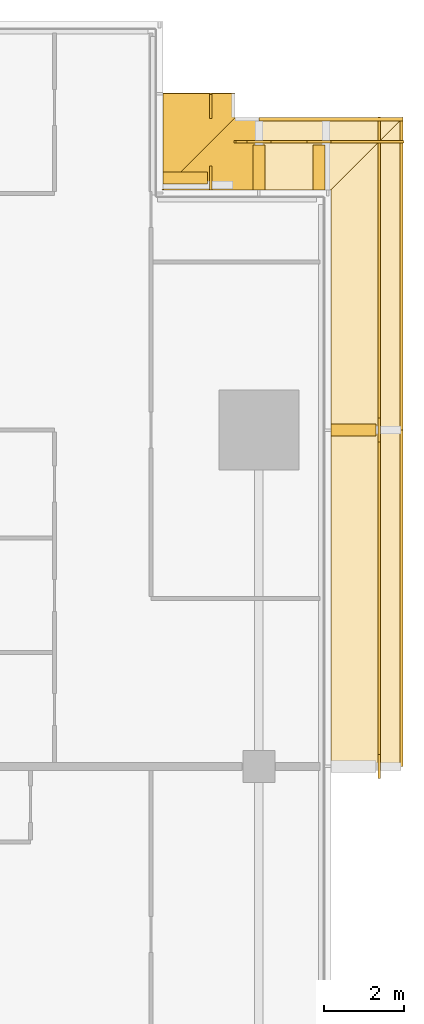
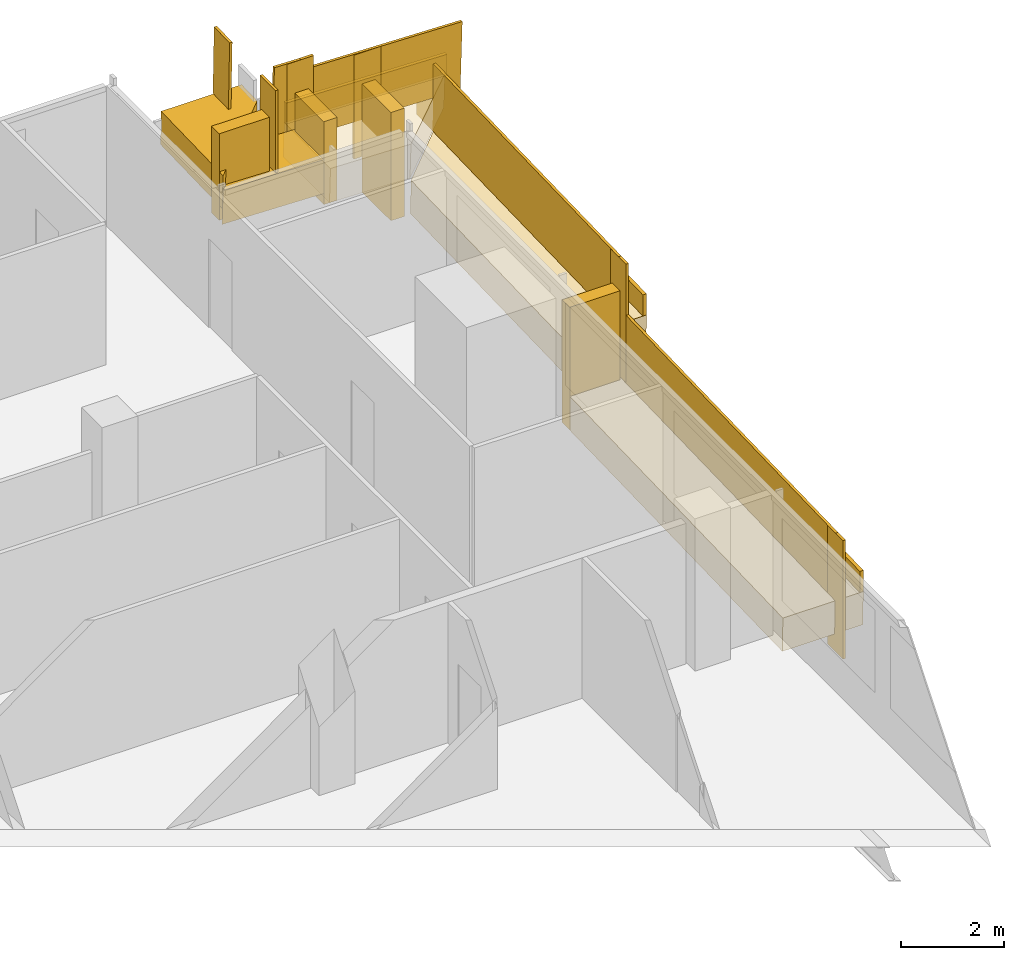
# One storey, part 25 of 27: 12 coverings, 10 railings.
"""IFC4 building model written with IfcOpenShell, lengths in metres."""

from ifc_helpers import new_model, si_unit, direction, frame, origin, origin_2d, place, context, subcontext, project, spatial, polyline, rectangle, outline, extrude, material, layer, layer_set, type_object, element, save


model = new_model("IFC4")

# Units and contexts
model_context = context("Model", 3, precision=1e-05, world=origin(), true_north=direction((0.0, 1.0)))
body_context = subcontext(model_context, "Body", "Model", "MODEL_VIEW")
ifc_project = project(units=[si_unit("LENGTHUNIT", "METRE"), si_unit("AREAUNIT", "SQUARE_METRE"), si_unit("VOLUMEUNIT", "CUBIC_METRE"), si_unit("PLANEANGLEUNIT", "RADIAN"), si_unit("MASSUNIT", "GRAM", prefix="KILO")], contexts=[model_context])

# Site, building, storey
site_placement = place(None, origin())
site = spatial("IfcSite", under=ifc_project, at=site_placement, CompositionType="ELEMENT")
building_placement = place(site_placement, origin())
building = spatial("IfcBuilding", under=site, at=building_placement, Name="Saffron Gate Tower", CompositionType="ELEMENT")
storey_placement = place(building_placement, frame((0.0, 0.0, 134.85009765625)))
storey = spatial("IfcBuildingStorey", under=building, at=storey_placement, Name="L32", CompositionType="ELEMENT", Elevation=134.85009765625)

# Coverings
ifc_material = material(Name="Timber, thermally modified ash", Category="wood")
ifc_layer_1 = layer(ifc_material, 0.800048828125)
ifc_layer_set_1 = layer_set([ifc_layer_1], Name="LD1 ledge timber")
covering_type_1 = type_object("IfcCoveringType", Name="LD1 ledge timber", PredefinedType="CLADDING", material=ifc_layer_set_1)
covering_1_placement = place(storey_placement, frame((127.199951171875, 57.0, 0.242919921875), z_axis=(0.0, -0.028820203882, 0.99958461165), x_axis=(0.0, 0.99958461165, 0.028820203882)))
element("IfcCovering", 1, at=covering_1_placement, inside=storey, type_object=covering_type_1, Name="LEDGE", PredefinedType="CLADDING", context=body_context, shape_type="SweptSolid", body=[
    extrude(outline(polyline([(0.0, 0.0), (8.40339301530596, 0.0), (8.40339301530596, -1.800048828125), (0.0, -1.800048828125), (0.0, 0.0)])), origin(), (0.0, 0.0, -1.0), 0.800048828125),
])
covering_2_placement = place(storey_placement, frame((127.199951171875, 65.39990234375, 1.685302734375), z_axis=(-3.5027307e-05, -0.028807146299, 0.99958498743), x_axis=(-3.68e-10, 0.999584988043, 0.028807146316)))
element("IfcCovering", 2, at=covering_2_placement, inside=storey, type_object=covering_type_1, Name="LEDGE", PredefinedType="CLADDING", context=body_context, shape_type="SweptSolid", body=[
    extrude(outline(polyline([(0.0, 0.0), (6.0024892885105, -2.541098841762901e-21), (7.8032891020589235, -1.8000488321003227), (-6.622937652878055e-10, -1.8000488270207489), (0.0, 0.0)])), origin(), (0.0, 0.0, -1.0), 0.800048828125),
])
covering_3_placement = place(storey_placement, frame((127.199951171875, 71.39990234375, 2.715576171875), z_axis=(0.028741681402, 0.0, 0.999586872538), x_axis=(-0.999586872538, 0.0, 0.028741681402)))
element("IfcCovering", 3, at=covering_3_placement, inside=storey, type_object=covering_type_1, Name="LEDGE", PredefinedType="CLADDING", context=body_context, shape_type="SweptSolid", body=[
    extrude(outline(polyline([(0.0, 0.0), (1.8007927850779974, 0.0), (1.8007927850779974, -1.800048828125), (-1.8007927850779974, -1.800048828125), (0.0, 0.0)])), origin(), (0.0, 0.0, -1.0), 0.800048828125),
])
covering_4_placement = place(storey_placement, frame((125.39990234375, 71.39990234375, 3.024658203125), z_axis=(0.028798988267, -2.8677152e-05, 0.999585222706), x_axis=(-0.999585223117, -6.17e-10, 0.028798988279)))
element("IfcCovering", 4, at=covering_4_placement, inside=storey, type_object=covering_type_1, Name="LEDGE", PredefinedType="CLADDING", context=body_context, shape_type="SweptSolid", body=[
    extrude(outline(polyline([(0.0, 0.0), (2.400896693585025, 4.235164736271502e-22), (0.6001039103565923, -1.8000488292351675), (-1.1098572600196767e-09, -1.8000488273848385), (0.0, 0.0)])), origin(), (0.0, 0.0, -1.0), 0.800048828125),
])
covering_5_placement = place(storey_placement, frame((123.0, 71.39990234375, 3.436767578125), z_axis=(2.6333678e-05, -0.028794305201, 0.999585357683), x_axis=(5.2e-10, 0.99958535803, 0.028794305211)))
element("IfcCovering", 5, at=covering_5_placement, inside=storey, type_object=covering_type_1, Name="LEDGE", PredefinedType="CLADDING", context=body_context, shape_type="SweptSolid", body=[
    extrude(outline(polyline([(0.0, 0.0), (2.401140733194568, 0.0), (2.4011407341303483, -1.8000488275008664), (1.8007927835182762, -1.8000488290612322), (0.0, 0.0)])), origin(), (0.0, 0.0, -1.0), 0.800048828125),
])
ifc_layer_2 = layer(ifc_material, 0.080078125)
ifc_layer_set_2 = layer_set([ifc_layer_2], Name="LD2 ledge planter trough")
covering_type_2 = type_object("IfcCoveringType", Name="LD2 ledge planter trough", PredefinedType="CLADDING", material=ifc_layer_set_2)
covering_6_placement = place(storey_placement, frame((129.0, 57.0, 0.242919921875), z_axis=(1.0, 0.0, 0.0), x_axis=(0.0, 0.99958461165, 0.028820203882)))
element("IfcCovering", 6, at=covering_6_placement, inside=storey, type_object=covering_type_2, Name="LEDGE planter trough", PredefinedType="CLADDING", context=body_context, shape_type="SweptSolid", body=[
    extrude(outline(polyline([(0.0, 0.0), (8.40339301530596, 0.0), (8.41780311724686, 0.49979230582518264), (0.014410101940899296, 0.49979230582518264), (0.0, 0.0)])), origin(), (0.0, 0.0, -1.0), 0.080078125),
])
covering_7_placement = place(storey_placement, frame((129.0, 65.39990234375, 1.685302734375), z_axis=(1.0, 0.0, 0.0), x_axis=(0.0, 0.999584755248, 0.028815222999)))
element("IfcCovering", 7, at=covering_7_placement, inside=storey, type_object=covering_type_2, Name="LEDGE planter trough", PredefinedType="CLADDING", context=body_context, shape_type="SweptSolid", body=[
    extrude(outline(polyline([(0.0, 0.0), (7.803289102975944, 0.0), (7.8176967144752565, 0.4997923776238338), (0.014407611499312996, 0.4997923776238338), (0.0, 0.0)])), origin(), (0.0, 0.0, -1.0), 0.080078125),
])
covering_8_placement = place(storey_placement, frame((129.0, 73.199951171875, 2.663818359375), z_axis=(0.0, 1.0, 0.0), x_axis=(-0.999586872538, 0.0, 0.028741681402)))
element("IfcCovering", 8, at=covering_8_placement, inside=storey, type_object=covering_type_2, Name="LEDGE planter trough", PredefinedType="CLADDING", context=body_context, shape_type="SweptSolid", body=[
    extrude(outline(polyline([(0.0, 0.0), (3.601585570155995, 0.0), (3.6159564108570694, 0.49979343626896944), (0.014370840701074394, 0.4997934362689694), (0.0, 0.0)])), origin(), (0.0, 0.0, -1.0), 0.080078125),
])
ifc_layer_3 = layer(ifc_material, 0.300048828125)
ifc_layer_set_3 = layer_set([ifc_layer_3], Name="LD3 ledge riser fin")
covering_type_3 = type_object("IfcCoveringType", Name="LD3 ledge riser fin", PredefinedType="CLADDING", material=ifc_layer_set_3)
covering_9_placement = place(storey_placement, frame((127.760009765625, 65.39990234375, -0.31494140625), z_axis=(0.0, 0.0, 1.0), x_axis=(0.0, 1.0, 0.0)))
element("IfcCovering", 9, at=covering_9_placement, inside=storey, type_object=covering_type_3, Name="LEDGE riser fin", PredefinedType="CLADDING", context=body_context, shape_type="SweptSolid", body=[
    extrude(rectangle(XDim=0.300048828125, YDim=1.1201171875, at=origin_2d()), origin(), (0.0, 0.0, 1.0), 2.900390625),
])
covering_10_placement = place(storey_placement, frame((126.89990234375, 71.9599609375, 1.05810546875), z_axis=(0.0, 0.0, 1.0), x_axis=(-1.0, 0.0, 0.0)))
element("IfcCovering", 10, at=covering_10_placement, inside=storey, type_object=covering_type_3, Name="LEDGE riser fin", PredefinedType="CLADDING", context=body_context, shape_type="SweptSolid", body=[
    extrude(rectangle(XDim=0.300048828125, YDim=1.1201171875, at=origin_2d()), origin(), (0.0, 0.0, 1.0), 2.557373046875),
])
covering_11_placement = place(storey_placement, frame((125.39990234375, 71.9599609375, 1.96728515625), z_axis=(0.0, 0.0, 1.0), x_axis=(-1.0, 0.0, 0.0)))
element("IfcCovering", 11, at=covering_11_placement, inside=storey, type_object=covering_type_3, Name="LEDGE riser fin", PredefinedType="CLADDING", context=body_context, shape_type="SweptSolid", body=[
    extrude(rectangle(XDim=0.300048828125, YDim=1.1201171875, at=origin_2d()), origin(), (0.0, 0.0, 1.0), 1.957275390625),
])
covering_12_placement = place(storey_placement, frame((123.56005859375, 71.699951171875, 2.293701171875), z_axis=(0.0, 0.0, 1.0), x_axis=(0.0, 1.0, 0.0)))
element("IfcCovering", 12, at=covering_12_placement, inside=storey, type_object=covering_type_3, Name="LEDGE riser fin", PredefinedType="CLADDING", context=body_context, shape_type="SweptSolid", body=[
    extrude(rectangle(XDim=0.300048828125, YDim=1.1201171875, at=origin_2d()), origin(), (0.0, 0.0, 1.0), 2.04296875),
])

# Railings
railing_type = type_object("IfcRailingType", Name="LG1 ledge balustrade", PredefinedType="BALUSTRADE", material=ifc_material)
railing_1_placement = place(storey_placement, frame((128.39990234375, 57.0, 0.242919921875)))
element("IfcRailing", 13, at=railing_1_placement, inside=storey, type_object=railing_type, Name="LEDGE BALUSTRADE", PredefinedType="BALUSTRADE", context=body_context, shape_type="SweptSolid", body=[
    extrude(rectangle(XDim=0.06005859375, YDim=1.60009765625, at=origin_2d()), frame((0.0, 0.0, 0.800048828125), z_axis=(0.0, 0.99958461165, 0.028820203882), x_axis=(-1.0, 0.0, 0.0)), (0.0, 0.0, 1.0), 8.4033203125),
])
railing_2_placement = place(storey_placement, frame((128.39990234375, 56.699951171875, -0.957275390625)))
element("IfcRailing", 14, at=railing_2_placement, inside=storey, type_object=railing_type, Name="LEDGE BALUSTRADE", PredefinedType="BALUSTRADE", context=body_context, shape_type="SweptSolid", body=[
    extrude(rectangle(XDim=0.06005859375, YDim=2.80029296875, at=origin_2d()), frame((0.0, 0.0, 1.400146484375), z_axis=(0.0, 1.0, 0.0), x_axis=(-1.0, 0.0, 0.0)), (0.0, 0.0, 1.0), 0.60009765625),
])
railing_3_placement = place(storey_placement, frame((128.39990234375, 65.39990234375, 1.685302734375)))
element("IfcRailing", 15, at=railing_3_placement, inside=storey, type_object=railing_type, Name="LEDGE BALUSTRADE", PredefinedType="BALUSTRADE", context=body_context, shape_type="SweptSolid", body=[
    extrude(rectangle(XDim=0.06005859375, YDim=1.60009765625, at=origin_2d()), frame((0.0, 0.0, 0.800048828125), z_axis=(0.0, 0.999584755248, 0.028815222999), x_axis=(-1.0, 0.0, 0.0)), (0.0, 0.0, 1.0), 7.80322265625),
])
railing_4_placement = place(storey_placement, frame((128.39990234375, 65.10009765625, 0.485107421875)))
element("IfcRailing", 16, at=railing_4_placement, inside=storey, type_object=railing_type, Name="LEDGE BALUSTRADE", PredefinedType="BALUSTRADE", context=body_context, shape_type="SweptSolid", body=[
    extrude(rectangle(XDim=0.06005859375, YDim=2.80029296875, at=origin_2d()), frame((0.0, 0.0, 1.400146484375), z_axis=(0.0, 1.0, 0.0), x_axis=(-1.0, 0.0, 0.0)), (0.0, 0.0, 1.0), 0.599853515625),
])
railing_5_placement = place(storey_placement, frame((129.0, 72.60009765625, 2.663818359375)))
element("IfcRailing", 17, at=railing_5_placement, inside=storey, type_object=railing_type, Name="LEDGE BALUSTRADE", PredefinedType="BALUSTRADE", context=body_context, shape_type="SweptSolid", body=[
    extrude(rectangle(XDim=0.06005859375, YDim=1.60009765625, at=origin_2d()), frame((0.0, 0.0, 0.800048828125), z_axis=(-0.999586872538, 0.0, 0.028741681402), x_axis=(0.0, -1.0, 0.0)), (0.0, 0.0, 1.0), 3.6015625),
])
railing_6_placement = place(storey_placement, frame((127.199951171875, 72.60009765625, 1.858154296875)))
element("IfcRailing", 18, at=railing_6_placement, inside=storey, type_object=railing_type, Name="LEDGE BALUSTRADE", PredefinedType="BALUSTRADE", context=body_context, shape_type="SweptSolid", body=[
    extrude(rectangle(XDim=0.06005859375, YDim=2.45751953125, at=origin_2d()), frame((0.0, 0.0, 1.228759765625), z_axis=(-1.0, 0.0, 0.0), x_axis=(0.0, -1.0, 0.0)), (0.0, 0.0, 1.0), 0.599853515625),
])
railing_7_placement = place(storey_placement, frame((125.39990234375, 72.60009765625, 3.024658203125)))
element("IfcRailing", 19, at=railing_7_placement, inside=storey, type_object=railing_type, Name="LEDGE BALUSTRADE", PredefinedType="BALUSTRADE", context=body_context, shape_type="SweptSolid", body=[
    extrude(rectangle(XDim=0.06005859375, YDim=1.60009765625, at=origin_2d()), frame((0.0, 0.0, 0.800048828125), z_axis=(-0.999582742162, 0.0, 0.028884971385), x_axis=(0.0, -1.0, 0.0)), (0.0, 0.0, 1.0), 0.60009765625),
])
railing_8_placement = place(storey_placement, frame((125.699951171875, 72.60009765625, 2.767333984375)))
element("IfcRailing", 20, at=railing_8_placement, inside=storey, type_object=railing_type, Name="LEDGE BALUSTRADE", PredefinedType="BALUSTRADE", context=body_context, shape_type="SweptSolid", body=[
    extrude(rectangle(XDim=0.06005859375, YDim=1.857177734375, at=origin_2d()), frame((0.0, 0.0, 0.9287109375), z_axis=(-1.0, 0.0, 0.0), x_axis=(0.0, -1.0, 0.0)), (0.0, 0.0, 1.0), 0.599853515625),
])
railing_9_placement = place(storey_placement, frame((124.199951171875, 73.199951171875, 3.488525390625)))
element("IfcRailing", 21, at=railing_9_placement, inside=storey, type_object=railing_type, Name="LEDGE BALUSTRADE", PredefinedType="BALUSTRADE", context=body_context, shape_type="SweptSolid", body=[
    extrude(rectangle(XDim=0.06005859375, YDim=1.60009765625, at=origin_2d()), frame((0.0, 0.0, 0.800048828125), z_axis=(0.0, 0.999583081391, 0.028873229772), x_axis=(-1.0, 0.0, 0.0)), (0.0, 0.0, 1.0), 0.600341796875),
])
railing_10_placement = place(storey_placement, frame((124.199951171875, 71.39990234375, 3.09375)))
element("IfcRailing", 22, at=railing_10_placement, inside=storey, type_object=railing_type, Name="LEDGE BALUSTRADE", PredefinedType="BALUSTRADE", context=body_context, shape_type="SweptSolid", body=[
    extrude(rectangle(XDim=0.06005859375, YDim=1.943115234375, at=origin_2d()), frame((0.0, 0.0, 0.9716796875), z_axis=(0.0, 1.0, 0.0), x_axis=(-1.0, 0.0, 0.0)), (0.0, 0.0, 1.0), 0.60009765625),
])

save(model, "model.ifc")
